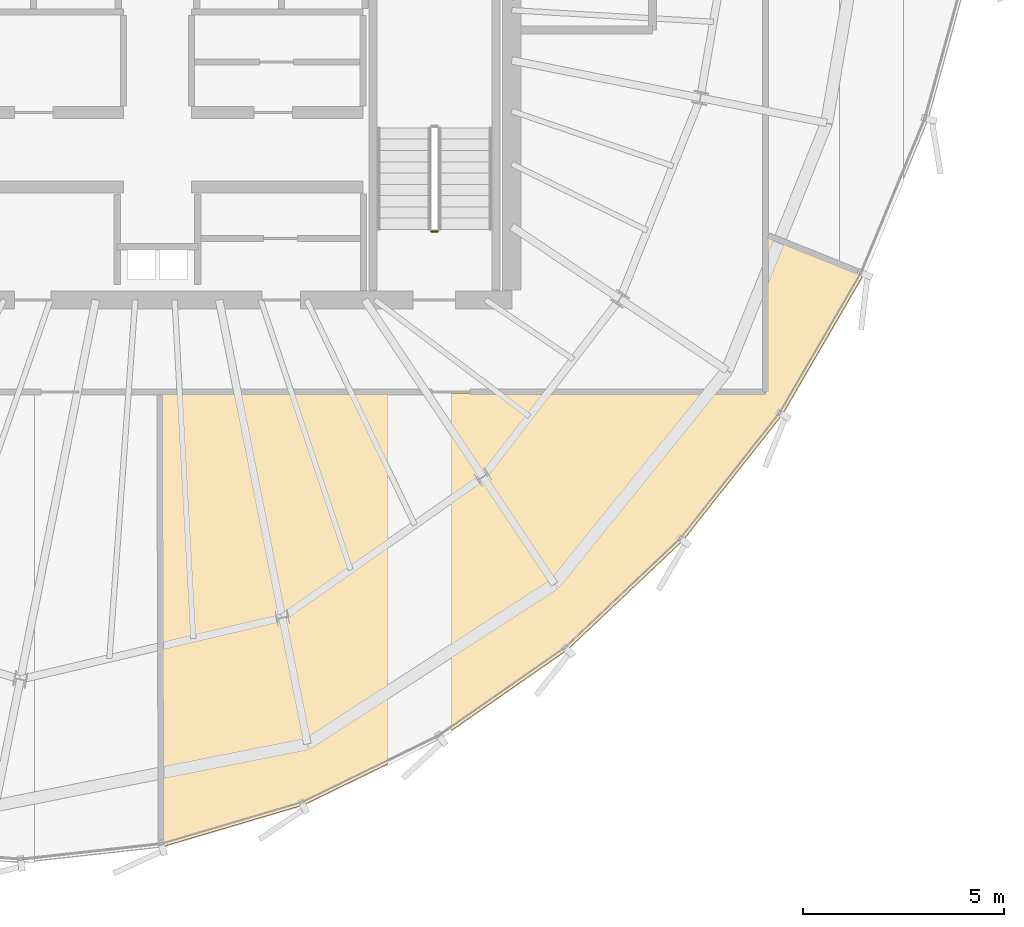
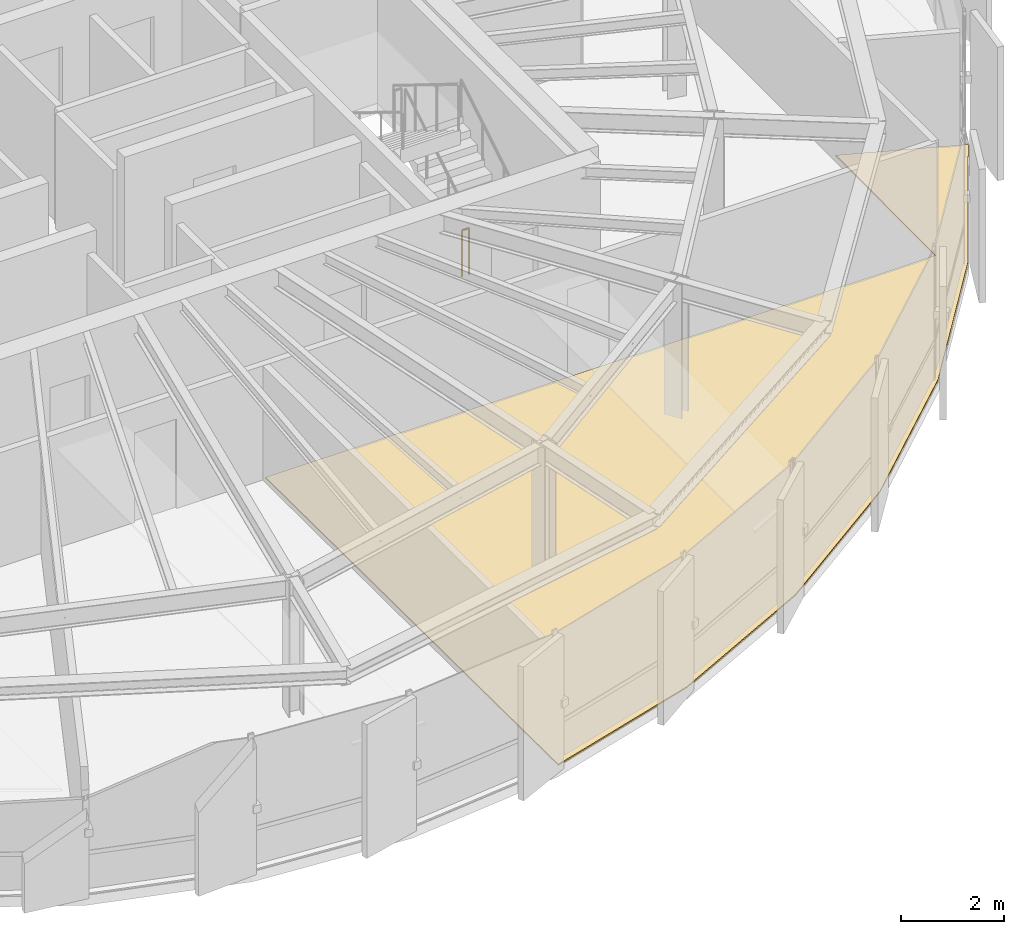
# One storey, part 32 of 34: 1 covering, 1 railing.
"""IFC4 building model written with IfcOpenShell, lengths in metres."""

import ifcopenshell
import ifcopenshell.guid

model = None  # the IFC model being written
_history = None  # IfcOwnerHistory: only IFC2X3 demands one
_inside = {}  # id of a spatial element -> (the spatial element, [elements in it])
_under = {}  # id of a project, library or spatial element -> (it, [spatial elements below it])
_declared = {}  # id of a project -> (the project, [libraries it declares])
_typed = {}  # id of a type object -> (the type object, [elements of that type])
_made_of = {}  # id of a material, layer set ... -> (it, [elements and type objects made of it])


def new_model(schema):
    """Start an empty IFC model of exactly this schema.

    Asked for "IFC4X3", IfcOpenShell would pick the latest addendum, in which some entities
    have other attributes; the version numbers below select the first issue.
    IFC2X3 requires an IfcOwnerHistory on every rooted entity: one is made here for all.
    """
    global model, _history
    if schema == "IFC4X3":
        model = ifcopenshell.file(schema_version=(4, 3, 0, 0))
    else:
        model = ifcopenshell.file(schema=schema)
    _inside.clear()
    _under.clear()
    _declared.clear()
    _typed.clear()
    _made_of.clear()
    _history = None
    if model.schema == "IFC2X3":
        org = make("IfcOrganization", Name="unknown")
        user = make(
            "IfcPersonAndOrganization",
            ThePerson=make("IfcPerson", FamilyName="unknown"),
            TheOrganization=org,
        )
        app = make(
            "IfcApplication",
            ApplicationDeveloper=org,
            Version="unknown",
            ApplicationFullName="unknown",
            ApplicationIdentifier="unknown",
        )
        _history = make(
            "IfcOwnerHistory",
            OwningUser=user,
            OwningApplication=app,
            ChangeAction="ADDED",
            CreationDate=0,
        )
    return model


def make(cls, **values):
    """One entity of the class cls with the attributes given. An attribute that is None is left unset."""
    return model.create_entity(
        cls, **{name: value for name, value in values.items() if value is not None}
    )


def rooted(cls, **values):
    """An entity with a GlobalId (a new one), such as an element, a storey or a relation."""
    return make(cls, GlobalId=ifcopenshell.guid.new(), OwnerHistory=_history, **values)


def si_unit(unit_type, name, prefix=None):
    """IfcSIUnit, for example si_unit("LENGTHUNIT", "METRE", prefix="MILLI")."""
    return make("IfcSIUnit", UnitType=unit_type, Prefix=prefix, Name=name)


def assignment(units):
    """IfcUnitAssignment: the units of a project."""
    return None if units is None else make("IfcUnitAssignment", Units=units)


def point(xyz):
    """IfcCartesianPoint."""
    return None if xyz is None else make("IfcCartesianPoint", Coordinates=xyz)


def direction(xyz):
    """IfcDirection."""
    return None if xyz is None else make("IfcDirection", DirectionRatios=xyz)


def frame(location, z_axis=None, x_axis=None):
    """IfcAxis2Placement3D, a coordinate frame: its origin and axes. An axis left out is left unset."""
    return make(
        "IfcAxis2Placement3D",
        Location=point(location),
        Axis=direction(z_axis),
        RefDirection=direction(x_axis),
    )


def frame_2d(location, x_axis=None):
    """IfcAxis2Placement2D, a coordinate frame in the plane: its origin and x axis."""
    return make(
        "IfcAxis2Placement2D", Location=point(location), RefDirection=direction(x_axis)
    )


def origin():
    """The frame at (0, 0, 0) with its axes left unset."""
    return frame((0.0, 0.0, 0.0))


def origin_2d():
    """The frame at (0, 0) in the plane with its x axis left unset."""
    return frame_2d((0.0, 0.0))


def place(relative_to, where):
    """IfcLocalPlacement: puts the frame where relative to a parent placement (None: the world)."""
    return make(
        "IfcLocalPlacement", PlacementRelTo=relative_to, RelativePlacement=where
    )


def context(
    kind, dimensions, precision=None, world=None, true_north=None, identifier=None
):
    """IfcGeometricRepresentationContext, for example the 3D "Model" context."""
    return make(
        "IfcGeometricRepresentationContext",
        ContextIdentifier=identifier,
        ContextType=kind,
        CoordinateSpaceDimension=dimensions,
        Precision=precision,
        WorldCoordinateSystem=world,
        TrueNorth=true_north,
    )


def subcontext(parent, identifier, kind, view, scale=None):
    """IfcGeometricRepresentationSubContext, for example "Body" below "Model"."""
    return make(
        "IfcGeometricRepresentationSubContext",
        ContextIdentifier=identifier,
        ContextType=kind,
        ParentContext=parent,
        TargetScale=scale,
        TargetView=view,
    )


def project(units=None, contexts=None):
    """IfcProject with its units and contexts."""
    return rooted(
        "IfcProject",
        Name="project",
        RepresentationContexts=contexts,
        UnitsInContext=assignment(units),
    )


def spatial(cls, under=None, at=None, **own):
    """A site, building, storey or space (cls), placed at a placement, below another one or the project."""
    s = rooted(cls, ObjectPlacement=at, **own)
    if under is not None:
        _under.setdefault(under.id(), (under, []))[1].append(s)
    return s


def polyline(points):
    """IfcPolyline through the points."""
    return make("IfcPolyline", Points=[point(p) for p in points])


def profile(cls, at=None, kind="AREA", **sizes):
    """A parametric profile (cls). Its sizes go by their IFC names, for example OverallWidth=200.0."""
    return make(cls, ProfileType=kind, Position=at, **sizes)


def circle(**sizes):
    """IfcCircleProfileDef."""
    return profile("IfcCircleProfileDef", **sizes)


def outline(outer, holes=None, kind="AREA"):
    """IfcArbitraryClosedProfileDef: a profile drawn as a closed curve; with holes, ...WithVoids."""
    if holes is None:
        return make("IfcArbitraryClosedProfileDef", ProfileType=kind, OuterCurve=outer)
    return make(
        "IfcArbitraryProfileDefWithVoids",
        ProfileType=kind,
        OuterCurve=outer,
        InnerCurves=holes,
    )


def extrude(swept, where, along, depth):
    """IfcExtrudedAreaSolid: the profile swept, set in the frame where, extruded along a direction by depth."""
    return make(
        "IfcExtrudedAreaSolid",
        SweptArea=swept,
        Position=where,
        ExtrudedDirection=direction(along),
        Depth=depth,
    )


def shape(context_of_items, identifier, shape_type, items):
    """IfcShapeRepresentation: the items that make up one representation, for example the "Body"."""
    return make(
        "IfcShapeRepresentation",
        ContextOfItems=context_of_items,
        RepresentationIdentifier=identifier,
        RepresentationType=shape_type,
        Items=items,
    )


def material(Name=None, Category=None):
    """IfcMaterial."""
    return make("IfcMaterial", Name=Name, Category=Category)


def layer(
    of_material, thickness, ventilated=None, Name=None, Category=None, Priority=None
):
    """IfcMaterialLayer: one layer of a wall or slab, of a material (None: an air gap)."""
    return make(
        "IfcMaterialLayer",
        Material=of_material,
        LayerThickness=thickness,
        IsVentilated=ventilated,
        Name=Name,
        Category=Category,
        Priority=Priority,
    )


def layer_set(layers, Name=None):
    """IfcMaterialLayerSet."""
    return make("IfcMaterialLayerSet", MaterialLayers=layers, LayerSetName=Name)


def made_of(thing, what):
    """Note that an element or type object is made of a material, layer set ...; save() writes the relation."""
    if what is not None:
        _made_of.setdefault(what.id(), (what, []))[1].append(thing)
    return thing


def type_object(cls, material=None, **own):
    """A type object (cls), such as IfcWallType, which elements share."""
    return made_of(rooted(cls, **own), material)


def element(
    cls,
    number,
    at=None,
    inside=None,
    cuts=None,
    type_object=None,
    material=None,
    context=None,
    identifier="Body",
    shape_type=None,
    held_by="IfcProductDefinitionShape",
    body=None,
    shapes=None,
    **own,
):
    """One element of the class cls, such as IfcWall. Its Tag is "e" and its number.

    at: its placement. inside: the storey or other place that contains it. cuts: it is an
    opening in that element (IfcRelVoidsElement). A single representation is given by context,
    identifier, shape_type and body (its items); several are given by shapes. held_by: the class
    of the entity that holds the representations. save() writes the other relations.
    """
    e = rooted(cls, Tag="e%d" % number, ObjectPlacement=at, **own)
    if body is not None:
        shapes = [shape(context, identifier, shape_type, body)]
    if shapes is not None:
        e.Representation = make(held_by, Representations=shapes)
    if inside is not None:
        _inside.setdefault(inside.id(), (inside, []))[1].append(e)
    if cuts is not None:
        rooted(
            "IfcRelVoidsElement", RelatingBuildingElement=cuts, RelatedOpeningElement=e
        )
    if type_object is not None:
        _typed.setdefault(type_object.id(), (type_object, []))[1].append(e)
    return made_of(e, material)


def aggregate(whole, parts):
    """IfcRelAggregates: a whole, such as a stair, and the parts it consists of."""
    return rooted("IfcRelAggregates", RelatingObject=whole, RelatedObjects=parts)


def save(model, path):
    """Write the relations noted so far, then the file.

    IfcRelAggregates (storeys below a building ...), IfcRelContainedInSpatialStructure (elements
    in a storey), IfcRelDefinesByType, IfcRelAssociatesMaterial and IfcRelDeclares: one each for
    every whole, place, type object, material and project.
    """
    for whole, parts in _under.values():
        aggregate(whole, parts)
    for where, things in _inside.values():
        rooted(
            "IfcRelContainedInSpatialStructure",
            RelatedElements=things,
            RelatingStructure=where,
        )
    for kind, things in _typed.values():
        rooted("IfcRelDefinesByType", RelatedObjects=things, RelatingType=kind)
    for what, things in _made_of.values():
        rooted("IfcRelAssociatesMaterial", RelatedObjects=things, RelatingMaterial=what)
    for by, libraries in _declared.values():
        rooted("IfcRelDeclares", RelatingContext=by, RelatedDefinitions=libraries)
    model.write(path)


model = new_model("IFC4")

# Units and contexts
model_context = context("Model", 3, precision=1e-05, world=origin(), true_north=direction((0.0, 1.0)))
body_context = subcontext(model_context, "Body", "Model", "MODEL_VIEW")
ifc_project = project(units=[si_unit("LENGTHUNIT", "METRE"), si_unit("AREAUNIT", "SQUARE_METRE"), si_unit("VOLUMEUNIT", "CUBIC_METRE"), si_unit("PLANEANGLEUNIT", "RADIAN"), si_unit("MASSUNIT", "GRAM", prefix="KILO"), si_unit("THERMODYNAMICTEMPERATUREUNIT", "KELVIN")], contexts=[model_context])

# Site, building, storey
site_placement = place(None, origin())
site = spatial("IfcSite", under=ifc_project, at=site_placement, CompositionType="ELEMENT")
building_placement = place(site_placement, origin())
building = spatial("IfcBuilding", under=site, at=building_placement, Name="Kethvar Cultural Tower", CompositionType="ELEMENT")
storey_placement = place(building_placement, frame((0.0, 0.0, 259.449951171875)))
storey = spatial("IfcBuildingStorey", under=building, at=storey_placement, Name="L68", CompositionType="ELEMENT", Elevation=259.449951171875)

# Covering
ifc_material_1 = material(Name="Honed Warm Limestone", Category="masonry")
ifc_layer = layer(ifc_material_1, 0.030029296875, Name="Honed Warm Limestone", Category="masonry")
ifc_layer_set = layer_set([ifc_layer], Name="Honed Warm Limestone (30 mm)")
covering_type = type_object("IfcCoveringType", Name="CV-STONE-FLOOR", PredefinedType="FLOORING", material=ifc_layer_set)
covering_placement = place(storey_placement, origin())
element("IfcCovering", 1, at=covering_placement, inside=storey, type_object=covering_type, Name="L68 Room 04 Floor Finish", PredefinedType="FLOORING", context=body_context, shape_type="SweptSolid", body=[
    extrude(outline(polyline([(64.3349609375, 20.72509765625), (62.318603515625, 17.25341796875), (59.84814453125, 14.12548828125), (56.98095703125, 11.4130859375), (53.80419921875, 9.19873046875), (50.4150390625, 7.5498046875), (46.93994140625, 6.523193359375), (46.87646484375, 17.787109375), (61.906005859375, 17.787353515625), (61.922119140625, 21.695556640625), (64.3349609375, 20.72509765625)])), origin(), (0.0, 0.0, 1.0), 0.030029296875),
])

# Railing
ifc_material_2 = material(Name="Steel S355J2", Category="steel")
railing_type = type_object("IfcRailingType", Name="RL-STAIR-GUARD", PredefinedType="BALUSTRADE", material=ifc_material_2)
railing_placement = place(storey_placement, frame((53.760009765625, 21.800048828125, 0.0)))
element("IfcRailing", 2, at=railing_placement, inside=storey, type_object=railing_type, Name="L68 ST-02 stair guard 4", PredefinedType="BALUSTRADE", context=body_context, shape_type="SweptSolid", body=[
    extrude(circle(Radius=0.02392578125, at=origin_2d()), frame((0.0, 0.0, 1.09619140625), z_axis=(-1.0, 0.0, 0.0), x_axis=(0.0, -1.0, 0.0)), (0.0, 0.0, 1.0), 0.159912109375),
    extrude(circle(Radius=0.02099609375, at=origin_2d()), origin(), (0.0, 0.0, 1.0), 1.072021484375),
    extrude(circle(Radius=0.02099609375, at=origin_2d()), frame((-0.159912109375, 0.0, 0.0)), (0.0, 0.0, 1.0), 1.072021484375),
])

save(model, "model.ifc")
